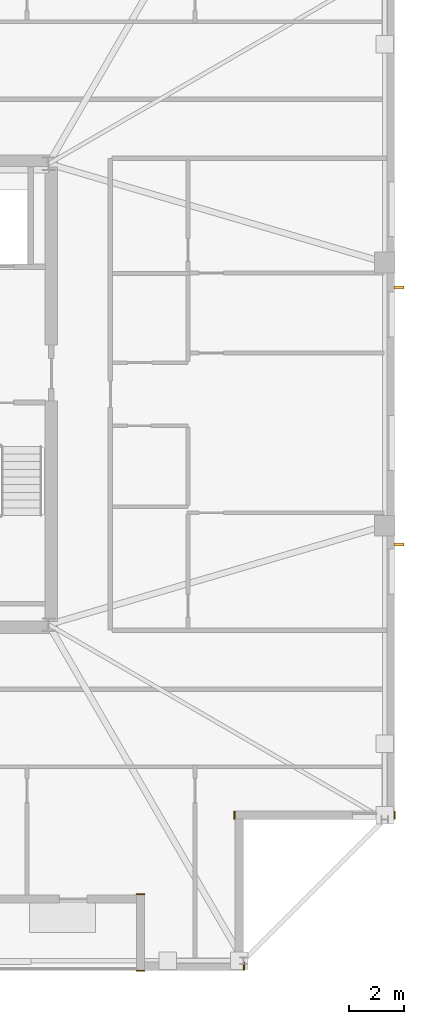
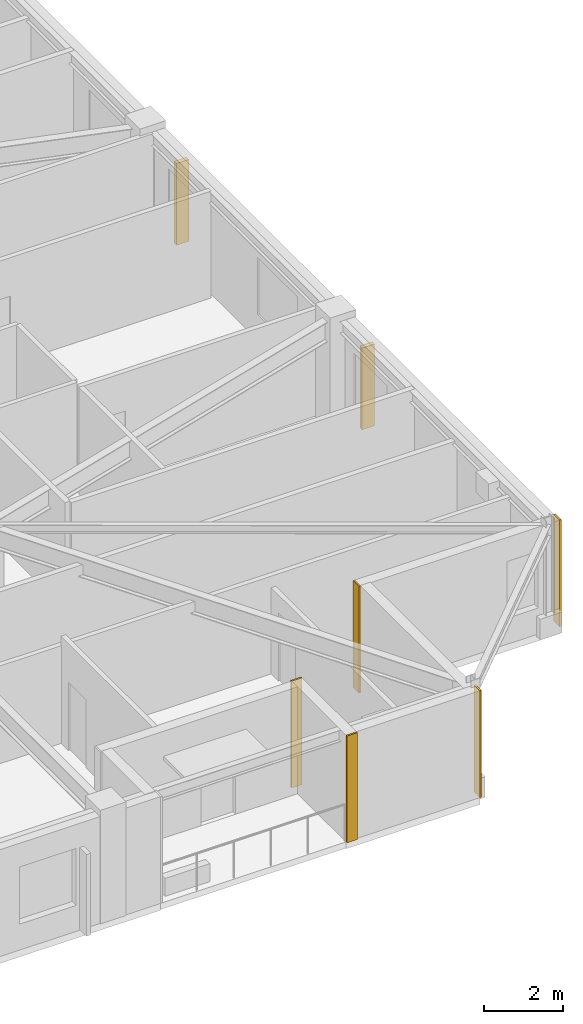
# One storey, part 14 of 15: 5 coverings, 2 shading devices.
"""IFC4 building model written with IfcOpenShell, lengths in metres."""

import ifcopenshell
import ifcopenshell.guid

model = None  # the IFC model being written
_history = None  # IfcOwnerHistory: only IFC2X3 demands one
_inside = {}  # id of a spatial element -> (the spatial element, [elements in it])
_under = {}  # id of a project, library or spatial element -> (it, [spatial elements below it])
_declared = {}  # id of a project -> (the project, [libraries it declares])
_typed = {}  # id of a type object -> (the type object, [elements of that type])
_made_of = {}  # id of a material, layer set ... -> (it, [elements and type objects made of it])


def new_model(schema):
    """Start an empty IFC model of exactly this schema.

    Asked for "IFC4X3", IfcOpenShell would pick the latest addendum, in which some entities
    have other attributes; the version numbers below select the first issue.
    IFC2X3 requires an IfcOwnerHistory on every rooted entity: one is made here for all.
    """
    global model, _history
    if schema == "IFC4X3":
        model = ifcopenshell.file(schema_version=(4, 3, 0, 0))
    else:
        model = ifcopenshell.file(schema=schema)
    _inside.clear()
    _under.clear()
    _declared.clear()
    _typed.clear()
    _made_of.clear()
    _history = None
    if model.schema == "IFC2X3":
        org = make("IfcOrganization", Name="unknown")
        user = make(
            "IfcPersonAndOrganization",
            ThePerson=make("IfcPerson", FamilyName="unknown"),
            TheOrganization=org,
        )
        app = make(
            "IfcApplication",
            ApplicationDeveloper=org,
            Version="unknown",
            ApplicationFullName="unknown",
            ApplicationIdentifier="unknown",
        )
        _history = make(
            "IfcOwnerHistory",
            OwningUser=user,
            OwningApplication=app,
            ChangeAction="ADDED",
            CreationDate=0,
        )
    return model


def make(cls, **values):
    """One entity of the class cls with the attributes given. An attribute that is None is left unset."""
    return model.create_entity(
        cls, **{name: value for name, value in values.items() if value is not None}
    )


def rooted(cls, **values):
    """An entity with a GlobalId (a new one), such as an element, a storey or a relation."""
    return make(cls, GlobalId=ifcopenshell.guid.new(), OwnerHistory=_history, **values)


def si_unit(unit_type, name, prefix=None):
    """IfcSIUnit, for example si_unit("LENGTHUNIT", "METRE", prefix="MILLI")."""
    return make("IfcSIUnit", UnitType=unit_type, Prefix=prefix, Name=name)


def assignment(units):
    """IfcUnitAssignment: the units of a project."""
    return None if units is None else make("IfcUnitAssignment", Units=units)


def point(xyz):
    """IfcCartesianPoint."""
    return None if xyz is None else make("IfcCartesianPoint", Coordinates=xyz)


def direction(xyz):
    """IfcDirection."""
    return None if xyz is None else make("IfcDirection", DirectionRatios=xyz)


def frame(location, z_axis=None, x_axis=None):
    """IfcAxis2Placement3D, a coordinate frame: its origin and axes. An axis left out is left unset."""
    return make(
        "IfcAxis2Placement3D",
        Location=point(location),
        Axis=direction(z_axis),
        RefDirection=direction(x_axis),
    )


def frame_2d(location, x_axis=None):
    """IfcAxis2Placement2D, a coordinate frame in the plane: its origin and x axis."""
    return make(
        "IfcAxis2Placement2D", Location=point(location), RefDirection=direction(x_axis)
    )


def origin():
    """The frame at (0, 0, 0) with its axes left unset."""
    return frame((0.0, 0.0, 0.0))


def origin_2d():
    """The frame at (0, 0) in the plane with its x axis left unset."""
    return frame_2d((0.0, 0.0))


def place(relative_to, where):
    """IfcLocalPlacement: puts the frame where relative to a parent placement (None: the world)."""
    return make(
        "IfcLocalPlacement", PlacementRelTo=relative_to, RelativePlacement=where
    )


def context(
    kind, dimensions, precision=None, world=None, true_north=None, identifier=None
):
    """IfcGeometricRepresentationContext, for example the 3D "Model" context."""
    return make(
        "IfcGeometricRepresentationContext",
        ContextIdentifier=identifier,
        ContextType=kind,
        CoordinateSpaceDimension=dimensions,
        Precision=precision,
        WorldCoordinateSystem=world,
        TrueNorth=true_north,
    )


def subcontext(parent, identifier, kind, view, scale=None):
    """IfcGeometricRepresentationSubContext, for example "Body" below "Model"."""
    return make(
        "IfcGeometricRepresentationSubContext",
        ContextIdentifier=identifier,
        ContextType=kind,
        ParentContext=parent,
        TargetScale=scale,
        TargetView=view,
    )


def project(units=None, contexts=None):
    """IfcProject with its units and contexts."""
    return rooted(
        "IfcProject",
        Name="project",
        RepresentationContexts=contexts,
        UnitsInContext=assignment(units),
    )


def spatial(cls, under=None, at=None, **own):
    """A site, building, storey or space (cls), placed at a placement, below another one or the project."""
    s = rooted(cls, ObjectPlacement=at, **own)
    if under is not None:
        _under.setdefault(under.id(), (under, []))[1].append(s)
    return s


def profile(cls, at=None, kind="AREA", **sizes):
    """A parametric profile (cls). Its sizes go by their IFC names, for example OverallWidth=200.0."""
    return make(cls, ProfileType=kind, Position=at, **sizes)


def rectangle(**sizes):
    """IfcRectangleProfileDef."""
    return profile("IfcRectangleProfileDef", **sizes)


def extrude(swept, where, along, depth):
    """IfcExtrudedAreaSolid: the profile swept, set in the frame where, extruded along a direction by depth."""
    return make(
        "IfcExtrudedAreaSolid",
        SweptArea=swept,
        Position=where,
        ExtrudedDirection=direction(along),
        Depth=depth,
    )


def shape(context_of_items, identifier, shape_type, items):
    """IfcShapeRepresentation: the items that make up one representation, for example the "Body"."""
    return make(
        "IfcShapeRepresentation",
        ContextOfItems=context_of_items,
        RepresentationIdentifier=identifier,
        RepresentationType=shape_type,
        Items=items,
    )


def material(Name=None, Category=None):
    """IfcMaterial."""
    return make("IfcMaterial", Name=Name, Category=Category)


def layer(
    of_material, thickness, ventilated=None, Name=None, Category=None, Priority=None
):
    """IfcMaterialLayer: one layer of a wall or slab, of a material (None: an air gap)."""
    return make(
        "IfcMaterialLayer",
        Material=of_material,
        LayerThickness=thickness,
        IsVentilated=ventilated,
        Name=Name,
        Category=Category,
        Priority=Priority,
    )


def layer_set(layers, Name=None):
    """IfcMaterialLayerSet."""
    return make("IfcMaterialLayerSet", MaterialLayers=layers, LayerSetName=Name)


def made_of(thing, what):
    """Note that an element or type object is made of a material, layer set ...; save() writes the relation."""
    if what is not None:
        _made_of.setdefault(what.id(), (what, []))[1].append(thing)
    return thing


def type_object(cls, material=None, **own):
    """A type object (cls), such as IfcWallType, which elements share."""
    return made_of(rooted(cls, **own), material)


def element(
    cls,
    number,
    at=None,
    inside=None,
    cuts=None,
    type_object=None,
    material=None,
    context=None,
    identifier="Body",
    shape_type=None,
    held_by="IfcProductDefinitionShape",
    body=None,
    shapes=None,
    **own,
):
    """One element of the class cls, such as IfcWall. Its Tag is "e" and its number.

    at: its placement. inside: the storey or other place that contains it. cuts: it is an
    opening in that element (IfcRelVoidsElement). A single representation is given by context,
    identifier, shape_type and body (its items); several are given by shapes. held_by: the class
    of the entity that holds the representations. save() writes the other relations.
    """
    e = rooted(cls, Tag="e%d" % number, ObjectPlacement=at, **own)
    if body is not None:
        shapes = [shape(context, identifier, shape_type, body)]
    if shapes is not None:
        e.Representation = make(held_by, Representations=shapes)
    if inside is not None:
        _inside.setdefault(inside.id(), (inside, []))[1].append(e)
    if cuts is not None:
        rooted(
            "IfcRelVoidsElement", RelatingBuildingElement=cuts, RelatedOpeningElement=e
        )
    if type_object is not None:
        _typed.setdefault(type_object.id(), (type_object, []))[1].append(e)
    return made_of(e, material)


def aggregate(whole, parts):
    """IfcRelAggregates: a whole, such as a stair, and the parts it consists of."""
    return rooted("IfcRelAggregates", RelatingObject=whole, RelatedObjects=parts)


def save(model, path):
    """Write the relations noted so far, then the file.

    IfcRelAggregates (storeys below a building ...), IfcRelContainedInSpatialStructure (elements
    in a storey), IfcRelDefinesByType, IfcRelAssociatesMaterial and IfcRelDeclares: one each for
    every whole, place, type object, material and project.
    """
    for whole, parts in _under.values():
        aggregate(whole, parts)
    for where, things in _inside.values():
        rooted(
            "IfcRelContainedInSpatialStructure",
            RelatedElements=things,
            RelatingStructure=where,
        )
    for kind, things in _typed.values():
        rooted("IfcRelDefinesByType", RelatedObjects=things, RelatingType=kind)
    for what, things in _made_of.values():
        rooted("IfcRelAssociatesMaterial", RelatedObjects=things, RelatingMaterial=what)
    for by, libraries in _declared.values():
        rooted("IfcRelDeclares", RelatingContext=by, RelatedDefinitions=libraries)
    model.write(path)


model = new_model("IFC4")

# Units and contexts
model_context = context("Model", 3, precision=1e-05, world=origin(), true_north=direction((0.0, 1.0)))
body_context = subcontext(model_context, "Body", "Model", "MODEL_VIEW")
ifc_project = project(units=[si_unit("LENGTHUNIT", "METRE"), si_unit("AREAUNIT", "SQUARE_METRE"), si_unit("VOLUMEUNIT", "CUBIC_METRE"), si_unit("PLANEANGLEUNIT", "RADIAN"), si_unit("MASSUNIT", "GRAM", prefix="KILO")], contexts=[model_context])

# Site, building, storey
site_placement = place(None, origin())
site = spatial("IfcSite", under=ifc_project, at=site_placement, CompositionType="ELEMENT")
building_placement = place(site_placement, origin())
building = spatial("IfcBuilding", under=site, at=building_placement, Name="Cairnveth Concourse Tower", CompositionType="ELEMENT")
storey_placement = place(building_placement, frame((0.0, 0.0, 284.0)))
storey = spatial("IfcBuildingStorey", under=building, at=storey_placement, Name="L78", CompositionType="ELEMENT", Elevation=284.0)

# Coverings
ifc_material_1 = material(Name="Dressed Melbourne Bluestone Cladding", Category="masonry")
ifc_layer = layer(ifc_material_1, 0.050048828125)
ifc_layer_set = layer_set([ifc_layer], Name="Dressed Melbourne Bluestone Cladding")
covering_type = type_object("IfcCoveringType", Name="DRESSED BLUESTONE PLINTH CLADDING 50", PredefinedType="CLADDING", material=ifc_layer_set)
for number, where, z_axis, x_axis, name in (
    (1, (73.02001953125, 23.800048828125, 0.0), (0.0, 0.0, 1.0), (0.0, -1.0, 0.0), "Melbourne Bluestone Corner Quoin L78-1189"),
    (2, (67.179931640625, 23.800048828125, 0.0), (0.0, 0.0, 1.0), (0.0, -1.0, 0.0), "Melbourne Bluestone Corner Quoin L78-1190"),
    (3, (67.52001953125, 18.300048828125, 0.0), (0.0, 0.0, 1.0), (0.0, -1.0, 0.0), "Melbourne Bluestone Corner Quoin L78-1191"),
):
    element("IfcCovering", number, at=place(storey_placement, frame(where, z_axis=z_axis, x_axis=x_axis)), inside=storey, type_object=covering_type, Name=name, PredefinedType="CLADDING", context=body_context, shape_type="SweptSolid", body=[
        extrude(rectangle(XDim=0.300048828125, YDim=0.050048828125, at=frame_2d((0.14990234375, 0.0))), origin(), (0.0, 0.0, 1.0), 3.2900390625),
    ])
for number, where, z_axis, x_axis, name in (
    (4, (63.89990234375, 17.97998046875, 0.0), (0.0, 0.0, 1.0), (-1.0, 0.0, 0.0), "Melbourne Bluestone Corner Quoin L78-1192"),
    (5, (63.89990234375, 20.77001953125, 0.0), (0.0, 0.0, 1.0), (-1.0, 0.0, 0.0), "Melbourne Bluestone Corner Quoin L78-1193"),
):
    element("IfcCovering", number, at=place(storey_placement, frame(where, z_axis=z_axis, x_axis=x_axis)), inside=storey, type_object=covering_type, Name=name, PredefinedType="CLADDING", context=body_context, shape_type="SweptSolid", body=[
        extrude(rectangle(XDim=0.2998046875, YDim=0.050048828125, at=frame_2d((0.14990234375, 0.0))), origin(), (0.0, 0.0, 1.0), 3.2900390625),
    ])

# Shading devices
ifc_material_2 = material(Name="Architectural Bronze Anodised Aluminium 6063-T6", Category="aluminium")
shading_device_type = type_object("IfcShadingDeviceType", Name="GOTHIC BRONZE VERTICAL LANCET FIN", PredefinedType="USERDEFINED", material=ifc_material_2)
for number, where, z_axis, x_axis, name in (
    (6, (73.175048828125, 42.892578125, 0.030029296875), (0.0, 0.0, 1.0), (0.0, 1.0, 0.0), "Gothic Bronze Vertical Fin L78-9-3"),
    (7, (73.175048828125, 33.5185546875, 0.030029296875), (0.0, 0.0, 1.0), (0.0, 1.0, 0.0), "Gothic Bronze Vertical Fin L78-9-5"),
):
    element("IfcShadingDevice", number, at=place(storey_placement, frame(where, z_axis=z_axis, x_axis=x_axis)), inside=storey, type_object=shading_device_type, Name=name, ObjectType="VERTICAL FIN", PredefinedType="USERDEFINED", context=body_context, shape_type="SweptSolid", body=[
        extrude(rectangle(XDim=0.1201171875, YDim=0.360107421875, at=origin_2d()), origin(), (0.0, 0.0, 1.0), 2.51806640625),
    ])

save(model, "model.ifc")
